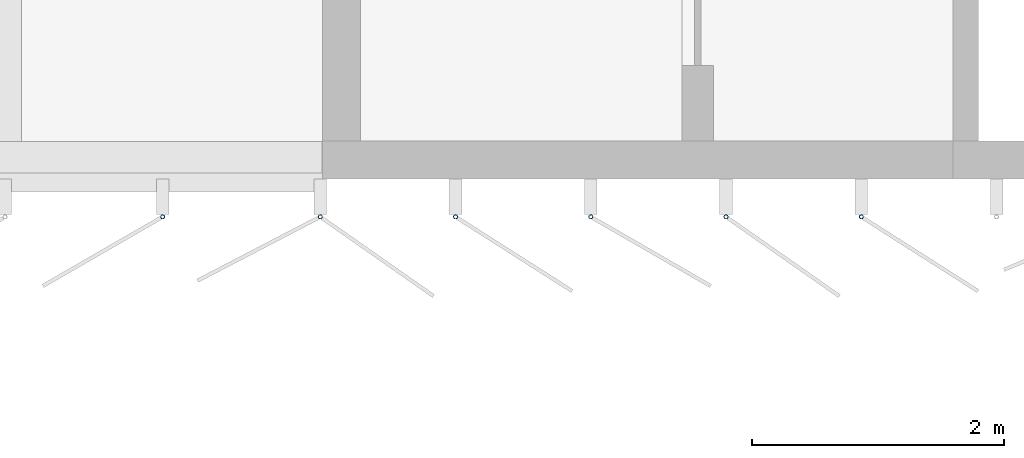
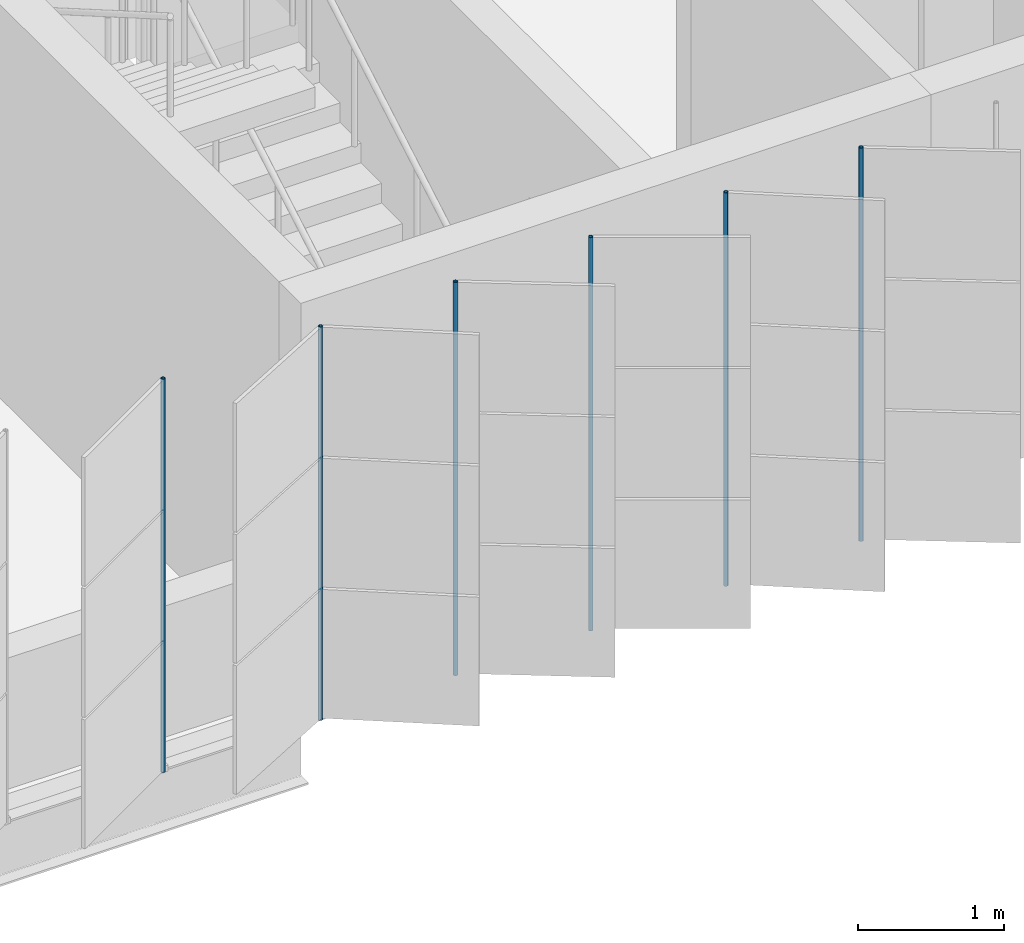
# One storey, part 78 of 199: 6 discrete accessories.
"""IFC4 building model written with IfcOpenShell, lengths in metres."""

from ifc_helpers import new_model, si_unit, direction, frame, origin, origin_2d, place, context, subcontext, project, spatial, hollow_circle, extrude, material, material_profile, profile_set, type_object, element, save


model = new_model("IFC4")

# Units and contexts
model_context = context("Model", 3, precision=1e-05, world=origin(), true_north=direction((0.0, 1.0)))
body_context = subcontext(model_context, "Body", "Model", "MODEL_VIEW")
ifc_project = project(units=[si_unit("LENGTHUNIT", "METRE"), si_unit("AREAUNIT", "SQUARE_METRE"), si_unit("VOLUMEUNIT", "CUBIC_METRE"), si_unit("PLANEANGLEUNIT", "RADIAN"), si_unit("MASSUNIT", "GRAM", prefix="KILO")], contexts=[model_context])

# Site, building, storey
site_placement = place(None, origin())
site = spatial("IfcSite", under=ifc_project, at=site_placement, CompositionType="ELEMENT")
building_placement = place(site_placement, origin())
building = spatial("IfcBuilding", under=site, at=building_placement, Name="Parallax Yard Mobility Hub", CompositionType="ELEMENT")
storey_placement = place(building_placement, frame((0.0, 0.0, 9.89990234375)))
storey = spatial("IfcBuildingStorey", under=building, at=storey_placement, Name="L03", CompositionType="ELEMENT", Elevation=9.89990234375)

# Discrete accessories
ifc_material = material(Name="Steel ASTM A500 Gr C, hot-dip galvanised", Category="steel")
ifc_material_profile = material_profile(ifc_material, hollow_circle(Radius=0.016845703125, WallThickness=0.003173828125, at=origin_2d()), Name="CHS 33.7x3.2")
ifc_profile_set = profile_set([ifc_material_profile], Name="Steel ASTM A500 Gr C, hot-dip galvanised")
discrete_accessory_type = type_object("IfcDiscreteAccessoryType", Name="Hinge post CHS 33.7x3.2", PredefinedType="BRACKET", material=ifc_profile_set)
for number, where, z_axis, x_axis, name in (
    (1, (66.233642578125, 112.199951171875, 0.0), (0.0, 0.0, 1.0), (1.0, 0.0, 0.0), "Hinge post bay 5.6 level L03"),
    (2, (67.48291015625, 112.199951171875, 0.0), (0.0, 0.0, 1.0), (1.0, 0.0, 0.0), "Hinge post bay 6.1 level L03"),
    (3, (68.55517578125, 112.199951171875, 0.0), (0.0, 0.0, 1.0), (1.0, 0.0, 0.0), "Hinge post bay 6.2 level L03"),
    (4, (69.627197265625, 112.199951171875, 0.0), (0.0, 0.0, 1.0), (1.0, 0.0, 0.0), "Hinge post bay 6.3 level L03"),
    (5, (70.699462890625, 112.199951171875, 0.0), (0.0, 0.0, 1.0), (1.0, 0.0, 0.0), "Hinge post bay 6.4 level L03"),
    (6, (71.771728515625, 112.199951171875, 0.0), (0.0, 0.0, 1.0), (1.0, 0.0, 0.0), "Hinge post bay 6.5 level L03"),
):
    element("IfcDiscreteAccessory", number, at=place(storey_placement, frame(where, z_axis=z_axis, x_axis=x_axis)), inside=storey, type_object=discrete_accessory_type, Name=name, PredefinedType="BRACKET", context=body_context, shape_type="SweptSolid", body=[
        extrude(hollow_circle(Radius=0.016845703125, WallThickness=0.003173828125, at=origin_2d()), origin(), (0.0, 0.0, 1.0), 3.300048828125),
    ])

save(model, "model.ifc")
